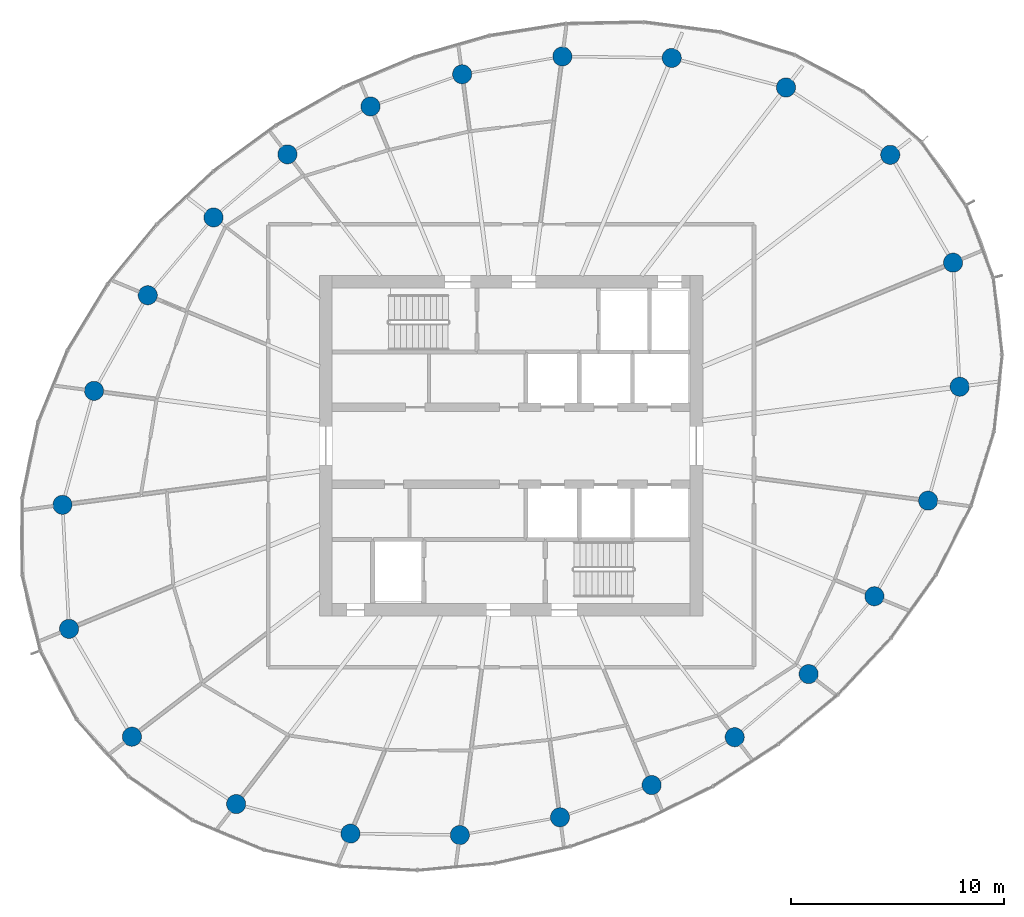
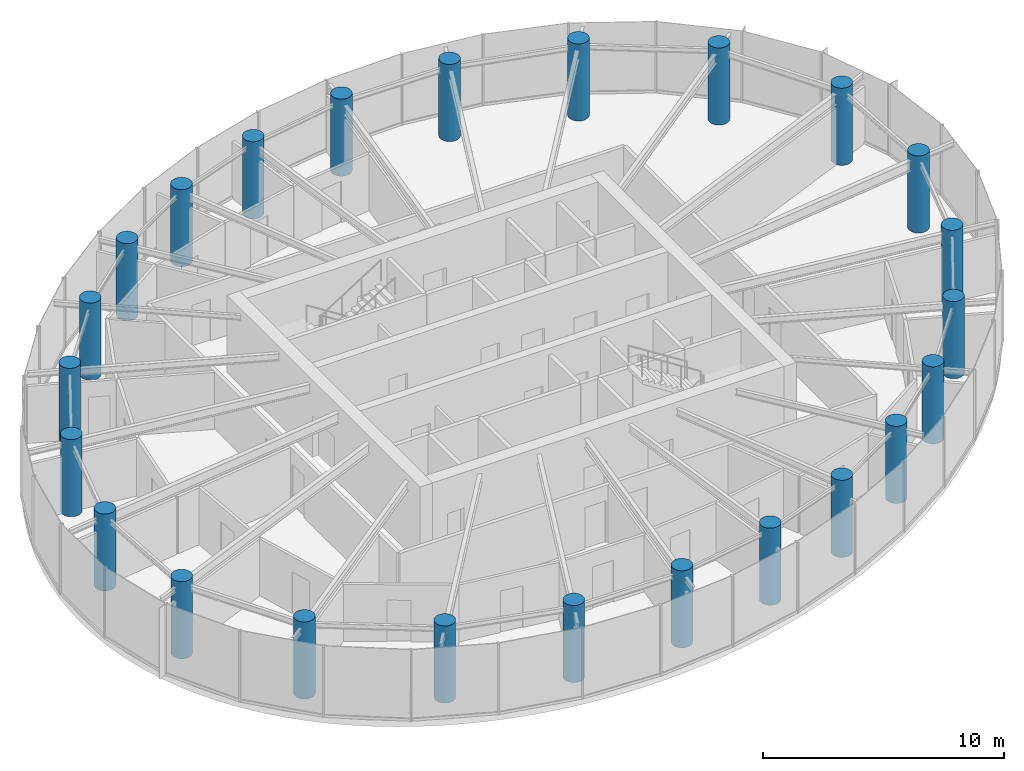
# One storey, part 1 of 13: 24 columns.
"""IFC4 building model written with IfcOpenShell, lengths in metres."""

from ifc_helpers import new_model, si_unit, direction, frame, origin, origin_2d, place, context, subcontext, project, spatial, circle, extrude, source, transform, mapped, material, material_profile, profile_set, type_object, element, save


model = new_model("IFC4")

# Units and contexts
model_context = context("Model", 3, precision=1e-05, world=origin(), true_north=direction((0.0, 1.0)))
body_context = subcontext(model_context, "Body", "Model", "MODEL_VIEW")
ifc_project = project(units=[si_unit("LENGTHUNIT", "METRE"), si_unit("AREAUNIT", "SQUARE_METRE"), si_unit("VOLUMEUNIT", "CUBIC_METRE"), si_unit("PLANEANGLEUNIT", "RADIAN"), si_unit("MASSUNIT", "GRAM", prefix="KILO")], contexts=[model_context])

# Site, building, storey
site_placement = place(None, origin())
site = spatial("IfcSite", under=ifc_project, at=site_placement, CompositionType="ELEMENT")
building_placement = place(site_placement, origin())
building = spatial("IfcBuilding", under=site, at=building_placement, Name="Spindrift Exchange Tower", CompositionType="ELEMENT")
storey_placement = place(building_placement, frame((0.0, 0.0, 222.800048828125)))
storey = spatial("IfcBuildingStorey", under=building, at=storey_placement, Name="L54", CompositionType="ELEMENT", Elevation=222.800048828125)

# Columns
ifc_material = material(Name="Concrete 50 MPa", Category="concrete")
ifc_material_profile = material_profile(ifc_material, circle(Radius=0.449951171875, at=origin_2d()), Name="RC D900")
ifc_profile_set = profile_set([ifc_material_profile], Name="Concrete 50 MPa")
column_type = type_object("IfcColumnType", Name="RC Perimeter Column D900 Concrete 50 MPa", PredefinedType="COLUMN", material=ifc_profile_set)
shared_shape = source(origin(), body_context, "Body", "SweptSolid", [
    extrude(circle(Radius=0.449951171875, at=origin_2d()), origin(), (0.0, 0.0, 1.0), 3.89990234375),
])
for number, where, z_axis, x_axis, name in (
    (1, (73.062255859375, 50.77294921875, 0.0), (0.0, 0.0, 1.0), (1.0, 0.0, 0.0), "Perimeter column P4-01 L54"),
    (2, (72.753173828125, 56.59619140625, 0.0), (0.0, 0.0, 1.0), (1.0, 0.0, 0.0), "Perimeter column P4-02 L54"),
    (3, (69.802001953125, 61.659912109375, 0.0), (0.0, 0.0, 1.0), (1.0, 0.0, 0.0), "Perimeter column P4-03 L54"),
    (4, (64.90869140625, 64.822998046875, 0.0), (0.0, 0.0, 1.0), (1.0, 0.0, 0.0), "Perimeter column P4-04 L54"),
    (5, (59.542724609375, 66.209716796875, 0.0), (0.0, 0.0, 1.0), (1.0, 0.0, 0.0), "Perimeter column P4-05 L54"),
    (6, (54.406494140625, 66.2783203125, 0.0), (0.0, 0.0, 1.0), (1.0, 0.0, 0.0), "Perimeter column P4-06 L54"),
    (7, (49.70361328125, 65.4423828125, 0.0), (0.0, 0.0, 1.0), (1.0, 0.0, 0.0), "Perimeter column P4-07 L54"),
    (8, (45.40087890625, 63.931396484375, 0.0), (0.0, 0.0, 1.0), (1.0, 0.0, 0.0), "Perimeter column P4-08 L54"),
    (9, (41.500732421875, 61.68310546875, 0.0), (0.0, 0.0, 1.0), (1.0, 0.0, 0.0), "Perimeter column P4-09 L54"),
    (10, (38.029052734375, 58.72021484375, 0.0), (0.0, 0.0, 1.0), (1.0, 0.0, 0.0), "Perimeter column P4-10 L54"),
    (11, (34.940673828125, 55.066162109375, 0.0), (0.0, 0.0, 1.0), (1.0, 0.0, 0.0), "Perimeter column P4-11 L54"),
    (12, (32.4189453125, 50.577880859375, 0.0), (0.0, 0.0, 1.0), (1.0, 0.0, 0.0), "Perimeter column P4-12 L54"),
    (13, (30.937744140625, 45.22705078125, 0.0), (0.0, 0.0, 1.0), (1.0, 0.0, 0.0), "Perimeter column P4-13 L54"),
    (14, (31.246826171875, 39.40380859375, 0.0), (0.0, 0.0, 1.0), (1.0, 0.0, 0.0), "Perimeter column P4-14 L54"),
    (15, (34.197998046875, 34.340087890625, 0.0), (0.0, 0.0, 1.0), (1.0, 0.0, 0.0), "Perimeter column P4-15 L54"),
    (16, (39.09130859375, 31.177001953125, 0.0), (0.0, 0.0, 1.0), (1.0, 0.0, 0.0), "Perimeter column P4-16 L54"),
    (17, (44.457275390625, 29.790283203125, 0.0), (0.0, 0.0, 1.0), (1.0, 0.0, 0.0), "Perimeter column P4-17 L54"),
    (18, (49.593505859375, 29.7216796875, 0.0), (0.0, 0.0, 1.0), (1.0, 0.0, 0.0), "Perimeter column P4-18 L54"),
    (19, (54.29638671875, 30.5576171875, 0.0), (0.0, 0.0, 1.0), (1.0, 0.0, 0.0), "Perimeter column P4-19 L54"),
    (20, (58.59912109375, 32.068603515625, 0.0), (0.0, 0.0, 1.0), (1.0, 0.0, 0.0), "Perimeter column P4-20 L54"),
    (21, (62.499267578125, 34.31689453125, 0.0), (0.0, 0.0, 1.0), (1.0, 0.0, 0.0), "Perimeter column P4-21 L54"),
    (22, (65.970947265625, 37.27978515625, 0.0), (0.0, 0.0, 1.0), (1.0, 0.0, 0.0), "Perimeter column P4-22 L54"),
    (23, (69.059326171875, 40.933837890625, 0.0), (0.0, 0.0, 1.0), (1.0, 0.0, 0.0), "Perimeter column P4-23 L54"),
    (24, (71.5810546875, 45.422119140625, 0.0), (0.0, 0.0, 1.0), (1.0, 0.0, 0.0), "Perimeter column P4-24 L54"),
):
    element("IfcColumn", number, at=place(storey_placement, frame(where, z_axis=z_axis, x_axis=x_axis)), inside=storey, type_object=column_type, Name=name, PredefinedType="COLUMN", context=body_context, shape_type="MappedRepresentation", body=[
        mapped(shared_shape, transform((0.0, 0.0, 0.0), scale=1.0)),
    ])

save(model, "model.ifc")
